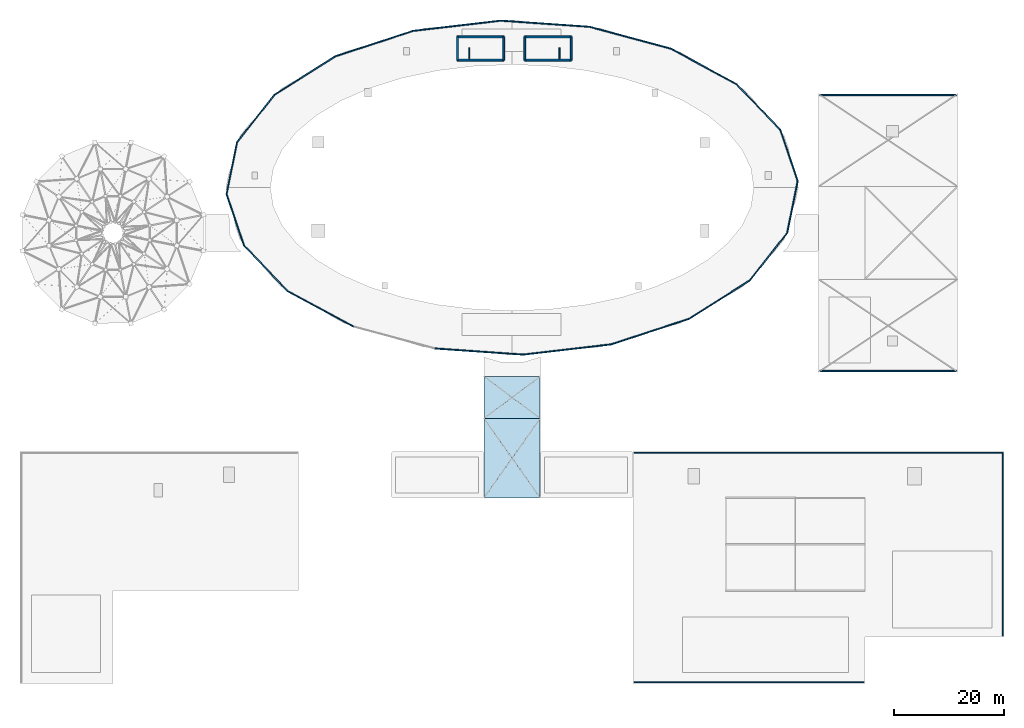
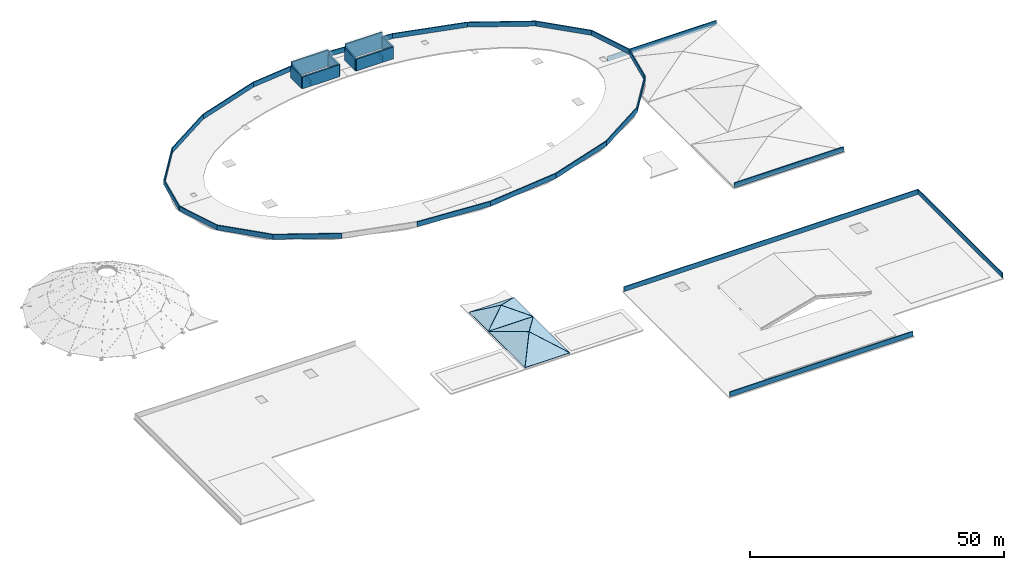
# One storey, part 9 of 11: 34 walls, 2 roofs.
"""IFC4 building model written with IfcOpenShell, lengths in metres."""

from ifc_helpers import new_model, si_unit, direction, frame, frame_2d, origin, place, context, subcontext, project, spatial, polyline, rectangle, outline, extrude, material, layer, layer_set, type_object, element, save


model = new_model("IFC4")

# Units and contexts
model_context = context("Model", 3, precision=1e-05, world=origin(), true_north=direction((0.0, 1.0)))
body_context = subcontext(model_context, "Body", "Model", "MODEL_VIEW")
ifc_project = project(units=[si_unit("LENGTHUNIT", "METRE"), si_unit("AREAUNIT", "SQUARE_METRE"), si_unit("VOLUMEUNIT", "CUBIC_METRE"), si_unit("PLANEANGLEUNIT", "RADIAN"), si_unit("MASSUNIT", "GRAM", prefix="KILO"), si_unit("THERMODYNAMICTEMPERATUREUNIT", "KELVIN"), si_unit("POWERUNIT", "WATT")], contexts=[model_context])

# Site, building, storey
site_placement = place(None, origin())
site = spatial("IfcSite", under=ifc_project, at=site_placement, CompositionType="ELEMENT")
building_placement = place(site_placement, origin())
building = spatial("IfcBuilding", under=site, at=building_placement, Name="Darbajah Civic Hall", CompositionType="ELEMENT")
storey_placement = place(building_placement, frame((0.0, 0.0, 30.60009765625)))
storey = spatial("IfcBuildingStorey", under=building, at=storey_placement, Name="ROOF", CompositionType="ELEMENT", Elevation=30.60009765625)

# Walls
ifc_material_1 = material(Name="Concrete C50/60", Category="concrete")
ifc_layer_1 = layer(ifc_material_1, 0.330078125, Name="Concrete C50/60")
ifc_layer_set_1 = layer_set([ifc_layer_1], Name="Concrete C50/60")
wall_type_1 = type_object("IfcWallType", Name="Core Shear Wall 330mm", PredefinedType="SHEAR", material=ifc_layer_set_1)
wall_1_placement = place(storey_placement, frame((79.199951171875, 112.89990234375, 0.0), z_axis=(0.0, 0.0, 1.0), x_axis=(1.0, 0.0, 0.0)))
element("IfcWall", 1, at=wall_1_placement, inside=storey, type_object=wall_type_1, Name="ROOF stair ST01 head-house wall S", PredefinedType="SHEAR", context=body_context, shape_type="SweptSolid", body=[
    extrude(rectangle(XDim=8.400146484375, YDim=0.330078125, at=frame_2d((4.2001953125, 0.0))), origin(), (0.0, 0.0, 1.0), 2.85986328125),
])
wall_2_placement = place(storey_placement, frame((87.60009765625, 112.89990234375, 0.0), z_axis=(0.0, 0.0, 1.0), x_axis=(0.0, 1.0, 0.0)))
element("IfcWall", 2, at=wall_2_placement, inside=storey, type_object=wall_type_1, Name="ROOF stair ST01 head-house wall E", PredefinedType="SHEAR", context=body_context, shape_type="SweptSolid", body=[
    extrude(rectangle(XDim=4.2001953125, YDim=0.330078125, at=frame_2d((2.10009765625, 0.0))), origin(), (0.0, 0.0, 1.0), 2.85986328125),
])
wall_3_placement = place(storey_placement, frame((87.60009765625, 117.10009765625, 0.0), z_axis=(0.0, 0.0, 1.0), x_axis=(-1.0, 0.0, 0.0)))
element("IfcWall", 3, at=wall_3_placement, inside=storey, type_object=wall_type_1, Name="ROOF stair ST01 head-house wall N", PredefinedType="SHEAR", context=body_context, shape_type="SweptSolid", body=[
    extrude(rectangle(XDim=8.400146484375, YDim=0.330078125, at=frame_2d((4.2001953125, 0.0))), origin(), (0.0, 0.0, 1.0), 3.8798828125),
])
wall_4_placement = place(storey_placement, frame((79.199951171875, 117.10009765625, 0.0), z_axis=(0.0, 0.0, 1.0), x_axis=(0.0, -1.0, 0.0)))
element("IfcWall", 4, at=wall_4_placement, inside=storey, type_object=wall_type_1, Name="ROOF stair ST01 head-house wall W", PredefinedType="SHEAR", context=body_context, shape_type="SweptSolid", body=[
    extrude(rectangle(XDim=4.2001953125, YDim=0.330078125, at=frame_2d((2.10009765625, 0.0))), origin(), (0.0, 0.0, 1.0), 2.85986328125),
])
wall_5_placement = place(storey_placement, frame((91.39990234375, 112.89990234375, 0.0), z_axis=(0.0, 0.0, 1.0), x_axis=(1.0, 0.0, 0.0)))
element("IfcWall", 5, at=wall_5_placement, inside=storey, type_object=wall_type_1, Name="ROOF stair ST02 head-house wall S", PredefinedType="SHEAR", context=body_context, shape_type="SweptSolid", body=[
    extrude(rectangle(XDim=8.400146484375, YDim=0.330078125, at=frame_2d((4.2001953125, 0.0))), origin(), (0.0, 0.0, 1.0), 2.85986328125),
])
wall_6_placement = place(storey_placement, frame((99.800048828125, 112.89990234375, 0.0), z_axis=(0.0, 0.0, 1.0), x_axis=(0.0, 1.0, 0.0)))
element("IfcWall", 6, at=wall_6_placement, inside=storey, type_object=wall_type_1, Name="ROOF stair ST02 head-house wall E", PredefinedType="SHEAR", context=body_context, shape_type="SweptSolid", body=[
    extrude(rectangle(XDim=4.2001953125, YDim=0.330078125, at=frame_2d((2.10009765625, 0.0))), origin(), (0.0, 0.0, 1.0), 2.85986328125),
])
wall_7_placement = place(storey_placement, frame((99.800048828125, 117.10009765625, 0.0), z_axis=(0.0, 0.0, 1.0), x_axis=(-1.0, 0.0, 0.0)))
element("IfcWall", 7, at=wall_7_placement, inside=storey, type_object=wall_type_1, Name="ROOF stair ST02 head-house wall N", PredefinedType="SHEAR", context=body_context, shape_type="SweptSolid", body=[
    extrude(rectangle(XDim=8.400146484375, YDim=0.330078125, at=frame_2d((4.2001953125, 0.0))), origin(), (0.0, 0.0, 1.0), 3.8798828125),
])
wall_8_placement = place(storey_placement, frame((91.39990234375, 117.10009765625, 0.0), z_axis=(0.0, 0.0, 1.0), x_axis=(0.0, -1.0, 0.0)))
element("IfcWall", 8, at=wall_8_placement, inside=storey, type_object=wall_type_1, Name="ROOF stair ST02 head-house wall W", PredefinedType="SHEAR", context=body_context, shape_type="SweptSolid", body=[
    extrude(rectangle(XDim=4.2001953125, YDim=0.330078125, at=frame_2d((2.10009765625, 0.0))), origin(), (0.0, 0.0, 1.0), 2.85986328125),
])
ifc_material_2 = material(Name="Red Dholpur Sandstone Cladding", Category="masonry")
ifc_layer_2 = layer(ifc_material_2, 0.18994140625, Name="Red Dholpur Sandstone Cladding")
ifc_layer_set_2 = layer_set([ifc_layer_2], Name="Red Dholpur Sandstone Cladding")
wall_type_2 = type_object("IfcWallType", Name="Exterior Parapet Wall 190mm", PredefinedType="PARAPET", material=ifc_layer_set_2)
wall_9_placement = place(storey_placement, frame((111.199951171875, 0.199951171875, -16.800048828125), z_axis=(0.0, 0.0, 1.0), x_axis=(1.0, 0.0, 0.0)))
element("IfcWall", 9, at=wall_9_placement, inside=storey, type_object=wall_type_2, Name="Roof parapet V3-S", PredefinedType="PARAPET", context=body_context, shape_type="SweptSolid", body=[
    extrude(rectangle(XDim=41.60009765625, YDim=0.18994140625, at=frame_2d((20.800048828125, 0.0))), origin(), (0.0, 0.0, 1.0), 1.14990234375),
])
wall_10_placement = place(storey_placement, frame((178.0, 8.60009765625, -16.800048828125), z_axis=(0.0, 0.0, 1.0), x_axis=(0.0, 1.0, 0.0)))
element("IfcWall", 10, at=wall_10_placement, inside=storey, type_object=wall_type_2, Name="Roof parapet V3-E", PredefinedType="PARAPET", context=body_context, shape_type="SweptSolid", body=[
    extrude(rectangle(XDim=33.199951171875, YDim=0.18994140625, at=frame_2d((16.60009765625, 0.0))), origin(), (0.0, 0.0, 1.0), 1.14990234375),
])
wall_11_placement = place(storey_placement, frame((178.0, 41.800048828125, -16.800048828125), z_axis=(0.0, 0.0, 1.0), x_axis=(-1.0, 0.0, 0.0)))
element("IfcWall", 11, at=wall_11_placement, inside=storey, type_object=wall_type_2, Name="Roof parapet V3-N", PredefinedType="PARAPET", context=body_context, shape_type="SweptSolid", body=[
    extrude(rectangle(XDim=66.800048828125, YDim=0.18994140625, at=frame_2d((33.39990234375, 0.0))), origin(), (0.0, 0.0, 1.0), 1.14990234375),
])
ifc_material_3 = material(Name="Qatari Desert Limestone Ashlar", Category="masonry")
ifc_layer_3 = layer(ifc_material_3, 0.22998046875, Name="Qatari Desert Limestone Ashlar")
ifc_layer_set_3 = layer_set([ifc_layer_3], Name="Qatari Desert Limestone Ashlar")
wall_type_3 = type_object("IfcWallType", Name="Exterior Parapet Wall 230mm", PredefinedType="PARAPET", material=ifc_layer_set_3)
wall_12_placement = place(storey_placement, frame((140.830810546875, 90.98828125, 0.0), z_axis=(0.0, 0.0, 1.0), x_axis=(-0.32208160811, 0.946711908511, 0.0)))
element("IfcWall", 12, at=wall_12_placement, inside=storey, type_object=wall_type_3, Name="V1 roof stone parapet 1", PredefinedType="PARAPET", context=body_context, shape_type="SweptSolid", body=[
    extrude(rectangle(XDim=9.811767578125, YDim=0.22998046875, at=frame_2d((4.90576171875, 0.0))), origin(), (0.0, 0.0, 1.0), 1.14990234375),
])
wall_13_placement = place(storey_placement, frame((137.670654296875, 100.277099609375, 0.0), z_axis=(0.0, 0.0, 1.0), x_axis=(-0.691696787146, 0.722188032753, 0.0)))
element("IfcWall", 13, at=wall_13_placement, inside=storey, type_object=wall_type_3, Name="V1 roof stone parapet 2", PredefinedType="PARAPET", context=body_context, shape_type="SweptSolid", body=[
    extrude(rectangle(XDim=11.44189453125, YDim=0.22998046875, at=frame_2d((5.720947265625, 0.0))), origin(), (0.0, 0.0, 1.0), 1.14990234375),
])
wall_14_placement = place(storey_placement, frame((129.75634765625, 108.540283203125, 0.0), z_axis=(0.0, 0.0, 1.0), x_axis=(-0.879722028822, 0.475488330041, 0.0)))
element("IfcWall", 14, at=wall_14_placement, inside=storey, type_object=wall_type_3, Name="V1 roof stone parapet 3", PredefinedType="PARAPET", context=body_context, shape_type="SweptSolid", body=[
    extrude(rectangle(XDim=13.520263671875, YDim=0.22998046875, at=frame_2d((6.76025390625, 0.0))), origin(), (0.0, 0.0, 1.0), 1.14990234375),
])
wall_15_placement = place(storey_placement, frame((117.8623046875, 114.968994140625, 0.0), z_axis=(0.0, 0.0, 1.0), x_axis=(-0.965536958429, 0.260265983002, 0.0)))
element("IfcWall", 15, at=wall_15_placement, inside=storey, type_object=wall_type_3, Name="V1 roof stone parapet 4", PredefinedType="PARAPET", context=body_context, shape_type="SweptSolid", body=[
    extrude(rectangle(XDim=15.23486328125, YDim=0.22998046875, at=frame_2d((7.617431640625, 0.0))), origin(), (0.0, 0.0, 1.0), 1.14990234375),
])
wall_16_placement = place(storey_placement, frame((103.152587890625, 118.93408203125, 0.0), z_axis=(0.0, 0.0, 1.0), x_axis=(-0.997613454461, 0.069046328487, 0.0)))
element("IfcWall", 16, at=wall_16_placement, inside=storey, type_object=wall_type_3, Name="V1 roof stone parapet 5", PredefinedType="PARAPET", context=body_context, shape_type="SweptSolid", body=[
    extrude(rectangle(XDim=16.123779296875, YDim=0.22998046875, at=frame_2d((8.06201171875, 0.0))), origin(), (0.0, 0.0, 1.0), 1.14990234375),
])
wall_17_placement = place(storey_placement, frame((87.0673828125, 120.04736328125, 0.0), z_axis=(0.0, 0.0, 1.0), x_axis=(-0.993304162289, -0.115528529718, 0.0)))
element("IfcWall", 17, at=wall_17_placement, inside=storey, type_object=wall_type_3, Name="V1 roof stone parapet 6", PredefinedType="PARAPET", context=body_context, shape_type="SweptSolid", body=[
    extrude(rectangle(XDim=15.9931640625, YDim=0.22998046875, at=frame_2d((7.99658203125, 0.0))), origin(), (0.0, 0.0, 1.0), 1.14990234375),
])
wall_18_placement = place(storey_placement, frame((71.181396484375, 118.19970703125, 0.0), z_axis=(0.0, 0.0, 1.0), x_axis=(-0.950346201813, -0.311194628327, 0.0)))
element("IfcWall", 18, at=wall_18_placement, inside=storey, type_object=wall_type_3, Name="V1 roof stone parapet 7", PredefinedType="PARAPET", context=body_context, shape_type="SweptSolid", body=[
    extrude(rectangle(XDim=14.87060546875, YDim=0.22998046875, at=frame_2d((7.435302734375, 0.0))), origin(), (0.0, 0.0, 1.0), 1.14990234375),
])
wall_19_placement = place(storey_placement, frame((57.049072265625, 113.572021484375, 0.0), z_axis=(0.0, 0.0, 1.0), x_axis=(-0.845125725414, -0.534567589967, 0.0)))
element("IfcWall", 19, at=wall_19_placement, inside=storey, type_object=wall_type_3, Name="V1 roof stone parapet 8", PredefinedType="PARAPET", context=body_context, shape_type="SweptSolid", body=[
    extrude(rectangle(XDim=13.009765625, YDim=0.22998046875, at=frame_2d((6.5048828125, 0.0))), origin(), (0.0, 0.0, 1.0), 1.14990234375),
])
wall_20_placement = place(storey_placement, frame((46.05419921875, 106.617431640625, 0.0), z_axis=(0.0, 0.0, 1.0), x_axis=(-0.619131007935, -0.785287714799, 0.0)))
element("IfcWall", 20, at=wall_20_placement, inside=storey, type_object=wall_type_3, Name="V1 roof stone parapet 9", PredefinedType="PARAPET", context=body_context, shape_type="SweptSolid", body=[
    extrude(rectangle(XDim=10.952392578125, YDim=0.22998046875, at=frame_2d((5.47607421875, 0.0))), origin(), (0.0, 0.0, 1.0), 1.14990234375),
])
wall_21_placement = place(storey_placement, frame((39.273193359375, 98.0166015625, 0.0), z_axis=(0.0, 0.0, 1.0), x_axis=(-0.198400533985, -0.980121027279, 0.0)))
element("IfcWall", 21, at=wall_21_placement, inside=storey, type_object=wall_type_3, Name="V1 roof stone parapet 10", PredefinedType="PARAPET", context=body_context, shape_type="SweptSolid", body=[
    extrude(rectangle(XDim=9.595703125, YDim=0.22998046875, at=frame_2d((4.7978515625, 0.0))), origin(), (0.0, 0.0, 1.0), 1.14990234375),
])
wall_22_placement = place(storey_placement, frame((37.369384765625, 88.611572265625, 0.0), z_axis=(0.0, 0.0, 1.0), x_axis=(0.322059306392, -0.946719495503, 0.0)))
element("IfcWall", 22, at=wall_22_placement, inside=storey, type_object=wall_type_3, Name="V1 roof stone parapet 11", PredefinedType="PARAPET", context=body_context, shape_type="SweptSolid", body=[
    extrude(rectangle(XDim=9.8115234375, YDim=0.22998046875, at=frame_2d((4.90576171875, 0.0))), origin(), (0.0, 0.0, 1.0), 1.14990234375),
])
wall_23_placement = place(storey_placement, frame((40.529296875, 79.32275390625, 0.0), z_axis=(0.0, 0.0, 1.0), x_axis=(0.691707446052, -0.722177823723, 0.0)))
element("IfcWall", 23, at=wall_23_placement, inside=storey, type_object=wall_type_3, Name="V1 roof stone parapet 12", PredefinedType="PARAPET", context=body_context, shape_type="SweptSolid", body=[
    extrude(rectangle(XDim=11.441650390625, YDim=0.22998046875, at=frame_2d((5.720703125, 0.0))), origin(), (0.0, 0.0, 1.0), 1.14990234375),
])
wall_24_placement = place(storey_placement, frame((48.443603515625, 71.059814453125, 0.0), z_axis=(0.0, 0.0, 1.0), x_axis=(0.879718558093, -0.475494751334, 0.0)))
element("IfcWall", 24, at=wall_24_placement, inside=storey, type_object=wall_type_3, Name="V1 roof stone parapet 13", PredefinedType="PARAPET", context=body_context, shape_type="SweptSolid", body=[
    extrude(rectangle(XDim=13.5205078125, YDim=0.22998046875, at=frame_2d((6.76025390625, 0.0))), origin(), (0.0, 0.0, 1.0), 1.14990234375),
])
wall_25_placement = place(storey_placement, frame((75.04736328125, 60.666015625, 0.0), z_axis=(0.0, 0.0, 1.0), x_axis=(0.997613454461, -0.069046328487, 0.0)))
element("IfcWall", 25, at=wall_25_placement, inside=storey, type_object=wall_type_3, Name="V1 roof stone parapet 15", PredefinedType="PARAPET", context=body_context, shape_type="SweptSolid", body=[
    extrude(rectangle(XDim=16.123779296875, YDim=0.22998046875, at=frame_2d((8.06201171875, 0.0))), origin(), (0.0, 0.0, 1.0), 1.14990234375),
])
wall_26_placement = place(storey_placement, frame((91.132568359375, 59.552734375, 0.0), z_axis=(0.0, 0.0, 1.0), x_axis=(0.99330436603, 0.115526777964, 0.0)))
element("IfcWall", 26, at=wall_26_placement, inside=storey, type_object=wall_type_3, Name="V1 roof stone parapet 16", PredefinedType="PARAPET", context=body_context, shape_type="SweptSolid", body=[
    extrude(rectangle(XDim=15.993408203125, YDim=0.22998046875, at=frame_2d((7.99658203125, 0.0))), origin(), (0.0, 0.0, 1.0), 1.14990234375),
])
wall_27_placement = place(storey_placement, frame((107.018798828125, 61.400390625, 0.0), z_axis=(0.0, 0.0, 1.0), x_axis=(0.950344611866, 0.311199483768, 0.0)))
element("IfcWall", 27, at=wall_27_placement, inside=storey, type_object=wall_type_3, Name="V1 roof stone parapet 17", PredefinedType="PARAPET", context=body_context, shape_type="SweptSolid", body=[
    extrude(rectangle(XDim=14.870361328125, YDim=0.22998046875, at=frame_2d((7.43505859375, 0.0))), origin(), (0.0, 0.0, 1.0), 1.14990234375),
])
wall_28_placement = place(storey_placement, frame((121.15087890625, 66.028076171875, 0.0), z_axis=(0.0, 0.0, 1.0), x_axis=(0.845125725414, 0.534567589967, 0.0)))
element("IfcWall", 28, at=wall_28_placement, inside=storey, type_object=wall_type_3, Name="V1 roof stone parapet 18", PredefinedType="PARAPET", context=body_context, shape_type="SweptSolid", body=[
    extrude(rectangle(XDim=13.009765625, YDim=0.22998046875, at=frame_2d((6.5048828125, 0.0))), origin(), (0.0, 0.0, 1.0), 1.14990234375),
])
wall_29_placement = place(storey_placement, frame((132.145751953125, 72.982666015625, 0.0), z_axis=(0.0, 0.0, 1.0), x_axis=(0.619155591799, 0.785268331938, 0.0)))
element("IfcWall", 29, at=wall_29_placement, inside=storey, type_object=wall_type_3, Name="V1 roof stone parapet 19", PredefinedType="PARAPET", context=body_context, shape_type="SweptSolid", body=[
    extrude(rectangle(XDim=10.952392578125, YDim=0.22998046875, at=frame_2d((5.47607421875, 0.0))), origin(), (0.0, 0.0, 1.0), 1.14990234375),
])
wall_30_placement = place(storey_placement, frame((138.927001953125, 81.583251953125, 0.0), z_axis=(0.0, 0.0, 1.0), x_axis=(0.198400533985, 0.980121027279, 0.0)))
element("IfcWall", 30, at=wall_30_placement, inside=storey, type_object=wall_type_3, Name="V1 roof stone parapet 20", PredefinedType="PARAPET", context=body_context, shape_type="SweptSolid", body=[
    extrude(rectangle(XDim=9.595703125, YDim=0.22998046875, at=frame_2d((4.7978515625, 0.0))), origin(), (0.0, 0.0, 1.0), 1.14990234375),
])
for number, where, z_axis, x_axis, name in (
    (31, (144.800048828125, 106.60009765625, -12.60009765625), (0.0, 0.0, 1.0), (1.0, 0.0, 0.0), "Roof parapet V4-N"),
    (32, (144.800048828125, 56.60009765625, -12.60009765625), (0.0, 0.0, 1.0), (1.0, 0.0, 0.0), "Roof parapet V4-S"),
):
    element("IfcWall", number, at=place(storey_placement, frame(where, z_axis=z_axis, x_axis=x_axis)), inside=storey, type_object=wall_type_3, Name=name, PredefinedType="PARAPET", context=body_context, shape_type="SweptSolid", body=[
        extrude(rectangle(XDim=24.800048828125, YDim=0.22998046875, at=frame_2d((12.39990234375, 0.0))), origin(), (0.0, 0.0, 1.0), 1.14990234375),
    ])
ifc_material_4 = material(Name="Concrete C45/55", Category="concrete")
ifc_layer_4 = layer(ifc_material_4, 0.219970703125, Name="Concrete C45/55")
ifc_layer_set_4 = layer_set([ifc_layer_4], Name="Concrete C45/55")
wall_type_4 = type_object("IfcWallType", Name="Firefighting Shaft Wall 220mm", PredefinedType="SOLIDWALL", material=ifc_layer_set_4)
for number, where, z_axis, x_axis, name in (
    (33, (81.320068359375, 113.050048828125, 0.0), (0.0, 0.0, 1.0), (0.0, 1.0, 0.0), "ROOF stair ST01 top-well guard wall"),
    (34, (97.679931640625, 113.050048828125, 0.0), (0.0, 0.0, 1.0), (0.0, 1.0, 0.0), "ROOF stair ST02 top-well guard wall"),
):
    element("IfcWall", number, at=place(storey_placement, frame(where, z_axis=z_axis, x_axis=x_axis)), inside=storey, type_object=wall_type_4, Name=name, PredefinedType="SOLIDWALL", context=body_context, shape_type="SweptSolid", body=[
        extrude(rectangle(XDim=2.1298828125, YDim=0.219970703125, at=frame_2d((1.06494140625, 0.0))), origin(), (0.0, 0.0, 1.0), 1.179931640625),
    ])

# Roofs
ifc_material_5 = material(Name="Steel S355JR", Category="steel")
ifc_layer_5 = layer(ifc_material_5, 0.14990234375, Name="Steel S355JR")
ifc_layer_set_5 = layer_set([ifc_layer_5], Name="Steel S355JR")
roof_type = type_object("IfcRoofType", Name="Hip Roof 150mm", PredefinedType="HIP_ROOF", material=ifc_layer_set_5)
roof_1_placement = place(storey_placement, origin())
element("IfcRoof", 35, at=roof_1_placement, inside=storey, type_object=roof_type, Name="Chhatri Lantern Hip Roof V6-PISH-N", PredefinedType="HIP_ROOF", context=body_context, shape_type="SweptSolid", body=[
    extrude(outline(polyline([(0.0, 0.0), (10.142333984375, 0.0), (5.0712890625, 4.352641398232709), (0.0, 0.0)])), frame((84.02880859375, 48.007080078125, -20.595947265625), z_axis=(0.0, -0.50105395864, 0.865416044762), x_axis=(1.0, 0.0, 0.0)), (0.0, 0.0, -1.0), 0.14990234375),
    extrude(outline(polyline([(0.0, 0.0), (7.546142578125, 0.0), (3.773193359375, 5.511359556566639), (0.0, 0.0)])), frame((94.18798828125, 48.02685546875, -20.594970703125), z_axis=(0.396110151469, 0.0, 0.918202999289), x_axis=(0.0, 1.0, 0.0)), (0.0, 0.0, -1.0), 0.14990234375),
    extrude(outline(polyline([(0.0, 0.0), (10.142333984375, 0.0), (5.071044921875, 4.352641398232709), (0.0, 0.0)])), frame((94.171142578125, 55.5927734375, -20.595947265625), z_axis=(0.0, 0.50105395864, 0.865416044762), x_axis=(-1.0, 0.0, 0.0)), (0.0, 0.0, -1.0), 0.14990234375),
    extrude(outline(polyline([(0.0, 0.0), (7.546142578125, 0.0), (3.77294921875, 5.511359556566639), (0.0, 0.0)])), frame((84.011962890625, 55.572998046875, -20.594970703125), z_axis=(-0.396110151469, 0.0, 0.918202999289), x_axis=(0.0, -1.0, 0.0)), (0.0, 0.0, -1.0), 0.14990234375),
])
roof_2_placement = place(storey_placement, origin())
element("IfcRoof", 36, at=roof_2_placement, inside=storey, type_object=roof_type, Name="Chhatri Lantern Hip Roof V6-PISH-S", PredefinedType="HIP_ROOF", context=body_context, shape_type="SweptSolid", body=[
    extrude(outline(polyline([(0.0, 0.0), (10.146240234375, 0.0), (5.0732421875, 7.578473033975091), (0.0, 0.0)])), frame((84.02685546875, 33.612548828125, -20.595703125), z_axis=(0.0, -0.328013286134, 0.944673109663), x_axis=(1.0, 0.0, 0.0)), (0.0, 0.0, -1.0), 0.14990234375),
    extrude(outline(polyline([(0.0, 0.0), (14.342041015625, 0.0), (7.171142578125, 5.642097687726116), (0.0, 0.0)])), frame((94.193115234375, 33.62890625, -20.5966796875), z_axis=(0.44015516479, 0.0, 0.897921728721), x_axis=(0.0, 1.0, 0.0)), (0.0, 0.0, -1.0), 0.14990234375),
    extrude(outline(polyline([(0.0, 0.0), (10.146240234375, 0.0), (5.072998046875, 7.578242401314797), (0.0, 0.0)])), frame((94.173095703125, 47.9873046875, -20.595703125), z_axis=(0.0, 0.328023268736, 0.944669643403), x_axis=(-1.0, 0.0, 0.0)), (0.0, 0.0, -1.0), 0.14990234375),
    extrude(outline(polyline([(0.0, 0.0), (14.342041015625, 0.0), (7.1708984375, 5.642097687726116), (0.0, 0.0)])), frame((84.0068359375, 47.970947265625, -20.5966796875), z_axis=(-0.44015516479, 0.0, 0.897921728721), x_axis=(0.0, -1.0, 0.0)), (0.0, 0.0, -1.0), 0.14990234375),
])

save(model, "model.ifc")
